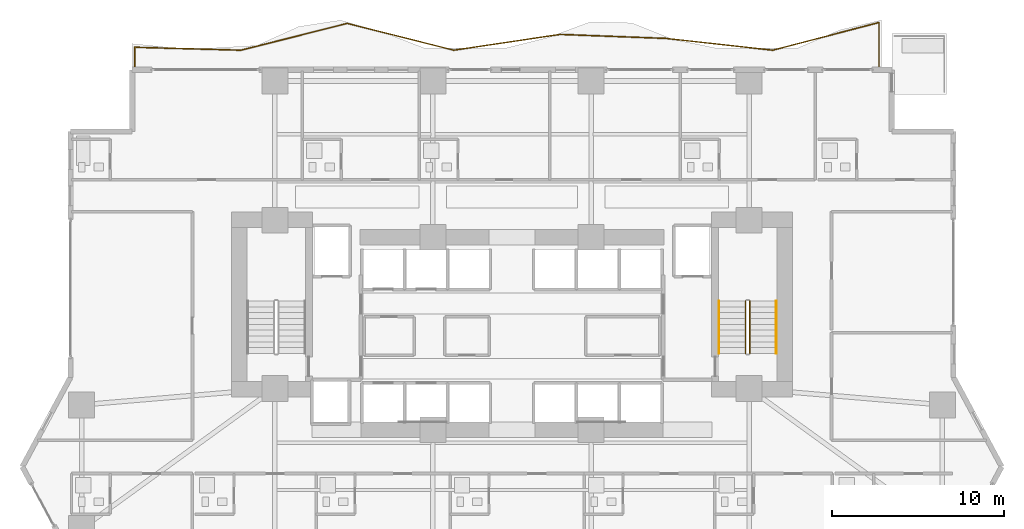
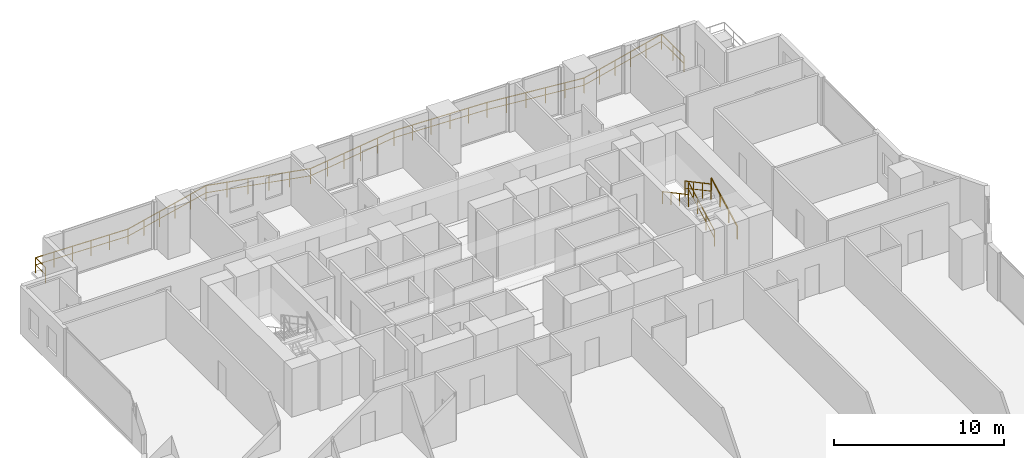
# One storey, part 26 of 28: 5 railings.
"""IFC4 building model written with IfcOpenShell, lengths in metres."""

from ifc_helpers import new_model, si_unit, direction, frame, origin, origin_2d, place, context, subcontext, project, spatial, rectangle, extrude, material, type_object, element, save


model = new_model("IFC4")

# Units and contexts
model_context = context("Model", 3, precision=1e-05, world=origin(), true_north=direction((0.0, 1.0)))
body_context = subcontext(model_context, "Body", "Model", "MODEL_VIEW")
ifc_project = project(units=[si_unit("LENGTHUNIT", "METRE"), si_unit("AREAUNIT", "SQUARE_METRE"), si_unit("VOLUMEUNIT", "CUBIC_METRE"), si_unit("PLANEANGLEUNIT", "RADIAN"), si_unit("MASSUNIT", "GRAM", prefix="KILO")], contexts=[model_context])

# Site, building, storey
site_placement = place(None, origin())
site = spatial("IfcSite", under=ifc_project, at=site_placement, CompositionType="ELEMENT")
building_placement = place(site_placement, origin())
building = spatial("IfcBuilding", under=site, at=building_placement, Name="Zuhayl Quay Hotel", CompositionType="ELEMENT")
storey_placement = place(building_placement, frame((0.0, 0.0, 56.800048828125)))
storey = spatial("IfcBuildingStorey", under=building, at=storey_placement, Name="L13", CompositionType="ELEMENT", Elevation=56.800048828125)

# Railings
ifc_material_1 = material(Name="Anodised Aluminium and Laminated Glass", Category="aluminium")
railing_type_1 = type_object("IfcRailingType", Name="RL_EXT_BAL_1100", PredefinedType="BALUSTRADE", material=ifc_material_1)
railing_1_placement = place(storey_placement, frame((-21.9599609375, 23.219970703125, 0.0)))
element("IfcRailing", 1, at=railing_1_placement, inside=storey, type_object=railing_type_1, Name="L13 Balcony and Terrace Guard GR_L13_BAL_N", PredefinedType="BALUSTRADE", context=body_context, shape_type="SweptSolid", body=[
    extrude(rectangle(XDim=0.048095703125, YDim=0.048095703125, at=origin_2d()), frame((0.0, 0.0, 1.09619140625), z_axis=(0.0, 1.0, 0.0), x_axis=(-1.0, 0.0, 0.0)), (0.0, 0.0, 1.0), 1.191162109375),
    extrude(rectangle(XDim=0.0361328125, YDim=0.0361328125, at=origin_2d()), frame((0.0, 0.0, 0.58251953125), z_axis=(0.0, 1.0, 0.0), x_axis=(-1.0, 0.0, 0.0)), (0.0, 0.0, 1.0), 1.191162109375),
    extrude(rectangle(XDim=0.048095703125, YDim=0.048095703125, at=origin_2d()), frame((0.0, 1.191162109375, 1.09619140625), z_axis=(0.999617818537, -0.027644472574, 0.0), x_axis=(0.027644472574, 0.999617818537, 0.0)), (0.0, 0.0, 1.0), 6.19091796875),
    extrude(rectangle(XDim=0.0361328125, YDim=0.0361328125, at=origin_2d()), frame((0.0, 1.191162109375, 0.58251953125), z_axis=(0.999617818537, -0.027644472574, 0.0), x_axis=(0.027644472574, 0.999617818537, 0.0)), (0.0, 0.0, 1.0), 6.19091796875),
    extrude(rectangle(XDim=0.048095703125, YDim=0.048095703125, at=origin_2d()), frame((6.1884765625, 1.02001953125, 1.09619140625), z_axis=(0.969618222109, 0.24462318646, 0.0), x_axis=(-0.24462318646, 0.969618222109, 0.0)), (0.0, 0.0, 1.0), 6.38232421875),
    extrude(rectangle(XDim=0.0361328125, YDim=0.0361328125, at=origin_2d()), frame((6.1884765625, 1.02001953125, 0.58251953125), z_axis=(0.969618222109, 0.24462318646, 0.0), x_axis=(-0.24462318646, 0.969618222109, 0.0)), (0.0, 0.0, 1.0), 6.38232421875),
    extrude(rectangle(XDim=0.048095703125, YDim=0.048095703125, at=origin_2d()), frame((12.376953125, 2.581298828125, 1.09619140625), z_axis=(0.969620511016, -0.244614113691, 0.0), x_axis=(0.244614113691, 0.969620511016, 0.0)), (0.0, 0.0, 1.0), 6.382568359375),
    extrude(rectangle(XDim=0.0361328125, YDim=0.0361328125, at=origin_2d()), frame((12.376953125, 2.581298828125, 0.58251953125), z_axis=(0.969620511016, -0.244614113691, 0.0), x_axis=(0.244614113691, 0.969620511016, 0.0)), (0.0, 0.0, 1.0), 6.382568359375),
    extrude(rectangle(XDim=0.048095703125, YDim=0.048095703125, at=origin_2d()), frame((18.565673828125, 1.02001953125, 1.09619140625), z_axis=(0.989119916434, 0.147111491437, 0.0), x_axis=(-0.147111491437, 0.989119916434, 0.0)), (0.0, 0.0, 1.0), 6.256591796875),
    extrude(rectangle(XDim=0.0361328125, YDim=0.0361328125, at=origin_2d()), frame((18.565673828125, 1.02001953125, 0.58251953125), z_axis=(0.989119916434, 0.147111491437, 0.0), x_axis=(-0.147111491437, 0.989119916434, 0.0)), (0.0, 0.0, 1.0), 6.256591796875),
    extrude(rectangle(XDim=0.048095703125, YDim=0.048095703125, at=origin_2d()), frame((24.754150390625, 1.9404296875, 1.09619140625), z_axis=(0.999282160602, -0.037883551869, 0.0), x_axis=(0.037883551869, 0.999282160602, 0.0)), (0.0, 0.0, 1.0), 6.193115234375),
    extrude(rectangle(XDim=0.0361328125, YDim=0.0361328125, at=origin_2d()), frame((24.754150390625, 1.9404296875, 0.58251953125), z_axis=(0.999282160602, -0.037883551869, 0.0), x_axis=(0.037883551869, 0.999282160602, 0.0)), (0.0, 0.0, 1.0), 6.193115234375),
    extrude(rectangle(XDim=0.048095703125, YDim=0.048095703125, at=origin_2d()), frame((30.94287109375, 1.705810546875, 1.09619140625), z_axis=(0.993915730952, -0.110143178485, 0.0), x_axis=(0.110143178485, 0.993915730952, 0.0)), (0.0, 0.0, 1.0), 6.226318359375),
    extrude(rectangle(XDim=0.0361328125, YDim=0.0361328125, at=origin_2d()), frame((30.94287109375, 1.705810546875, 0.58251953125), z_axis=(0.993915730952, -0.110143178485, 0.0), x_axis=(0.110143178485, 0.993915730952, 0.0)), (0.0, 0.0, 1.0), 6.226318359375),
    extrude(rectangle(XDim=0.048095703125, YDim=0.048095703125, at=origin_2d()), frame((37.13134765625, 1.02001953125, 1.09619140625), z_axis=(0.967680483003, 0.25217946549, 0.0), x_axis=(-0.25217946549, 0.967680483003, 0.0)), (0.0, 0.0, 1.0), 6.3955078125),
    extrude(rectangle(XDim=0.0361328125, YDim=0.0361328125, at=origin_2d()), frame((37.13134765625, 1.02001953125, 0.58251953125), z_axis=(0.967680483003, 0.25217946549, 0.0), x_axis=(-0.25217946549, 0.967680483003, 0.0)), (0.0, 0.0, 1.0), 6.3955078125),
    extrude(rectangle(XDim=0.048095703125, YDim=0.048095703125, at=origin_2d()), frame((43.320068359375, 2.6328125, 1.09619140625), z_axis=(0.0, -1.0, 0.0), x_axis=(1.0, 0.0, 0.0)), (0.0, 0.0, 1.0), 2.6328125),
    extrude(rectangle(XDim=0.0361328125, YDim=0.0361328125, at=origin_2d()), frame((43.320068359375, 2.6328125, 0.58251953125), z_axis=(0.0, -1.0, 0.0), x_axis=(1.0, 0.0, 0.0)), (0.0, 0.0, 1.0), 2.6328125),
    extrude(rectangle(XDim=0.0419921875, YDim=0.0419921875, at=origin_2d()), origin(), (0.0, 0.0, 1.0), 1.072021484375),
    extrude(rectangle(XDim=0.0419921875, YDim=0.0419921875, at=origin_2d()), frame((0.0, 1.191162109375, 0.0)), (0.0, 0.0, 1.0), 1.072021484375),
    extrude(rectangle(XDim=0.0419921875, YDim=0.0419921875, at=origin_2d()), frame((1.23779296875, 1.156982421875, 0.0)), (0.0, 0.0, 1.0), 1.072021484375),
    extrude(rectangle(XDim=0.0419921875, YDim=0.0419921875, at=origin_2d()), frame((2.475341796875, 1.122802734375, 0.0)), (0.0, 0.0, 1.0), 1.072021484375),
    extrude(rectangle(XDim=0.0419921875, YDim=0.0419921875, at=origin_2d()), frame((3.713134765625, 1.08837890625, 0.0)), (0.0, 0.0, 1.0), 1.072021484375),
    extrude(rectangle(XDim=0.0419921875, YDim=0.0419921875, at=origin_2d()), frame((4.95068359375, 1.05419921875, 0.0)), (0.0, 0.0, 1.0), 1.072021484375),
    extrude(rectangle(XDim=0.0419921875, YDim=0.0419921875, at=origin_2d()), frame((6.1884765625, 1.02001953125, 0.0)), (0.0, 0.0, 1.0), 1.072021484375),
    extrude(rectangle(XDim=0.0419921875, YDim=0.0419921875, at=origin_2d()), frame((7.42626953125, 1.332275390625, 0.0)), (0.0, 0.0, 1.0), 1.072021484375),
    extrude(rectangle(XDim=0.0419921875, YDim=0.0419921875, at=origin_2d()), frame((8.663818359375, 1.64453125, 0.0)), (0.0, 0.0, 1.0), 1.072021484375),
    extrude(rectangle(XDim=0.0419921875, YDim=0.0419921875, at=origin_2d()), frame((9.901611328125, 1.956787109375, 0.0)), (0.0, 0.0, 1.0), 1.072021484375),
    extrude(rectangle(XDim=0.0419921875, YDim=0.0419921875, at=origin_2d()), frame((11.13916015625, 2.26904296875, 0.0)), (0.0, 0.0, 1.0), 1.072021484375),
    extrude(rectangle(XDim=0.0419921875, YDim=0.0419921875, at=origin_2d()), frame((12.376953125, 2.581298828125, 0.0)), (0.0, 0.0, 1.0), 1.072021484375),
    extrude(rectangle(XDim=0.0419921875, YDim=0.0419921875, at=origin_2d()), frame((13.61474609375, 2.26904296875, 0.0)), (0.0, 0.0, 1.0), 1.072021484375),
    extrude(rectangle(XDim=0.0419921875, YDim=0.0419921875, at=origin_2d()), frame((14.8525390625, 1.956787109375, 0.0)), (0.0, 0.0, 1.0), 1.072021484375),
    extrude(rectangle(XDim=0.0419921875, YDim=0.0419921875, at=origin_2d()), frame((16.090087890625, 1.64453125, 0.0)), (0.0, 0.0, 1.0), 1.072021484375),
    extrude(rectangle(XDim=0.0419921875, YDim=0.0419921875, at=origin_2d()), frame((17.327880859375, 1.332275390625, 0.0)), (0.0, 0.0, 1.0), 1.072021484375),
    extrude(rectangle(XDim=0.0419921875, YDim=0.0419921875, at=origin_2d()), frame((18.565673828125, 1.02001953125, 0.0)), (0.0, 0.0, 1.0), 1.072021484375),
    extrude(rectangle(XDim=0.0419921875, YDim=0.0419921875, at=origin_2d()), frame((19.803466796875, 1.2041015625, 0.0)), (0.0, 0.0, 1.0), 1.072021484375),
    extrude(rectangle(XDim=0.0419921875, YDim=0.0419921875, at=origin_2d()), frame((21.041015625, 1.38818359375, 0.0)), (0.0, 0.0, 1.0), 1.072021484375),
    extrude(rectangle(XDim=0.0419921875, YDim=0.0419921875, at=origin_2d()), frame((22.27880859375, 1.572265625, 0.0)), (0.0, 0.0, 1.0), 1.072021484375),
    extrude(rectangle(XDim=0.0419921875, YDim=0.0419921875, at=origin_2d()), frame((23.516357421875, 1.75634765625, 0.0)), (0.0, 0.0, 1.0), 1.072021484375),
    extrude(rectangle(XDim=0.0419921875, YDim=0.0419921875, at=origin_2d()), frame((24.754150390625, 1.9404296875, 0.0)), (0.0, 0.0, 1.0), 1.072021484375),
    extrude(rectangle(XDim=0.0419921875, YDim=0.0419921875, at=origin_2d()), frame((25.991943359375, 1.8935546875, 0.0)), (0.0, 0.0, 1.0), 1.072021484375),
    extrude(rectangle(XDim=0.0419921875, YDim=0.0419921875, at=origin_2d()), frame((27.229736328125, 1.8466796875, 0.0)), (0.0, 0.0, 1.0), 1.072021484375),
    extrude(rectangle(XDim=0.0419921875, YDim=0.0419921875, at=origin_2d()), frame((28.46728515625, 1.799560546875, 0.0)), (0.0, 0.0, 1.0), 1.072021484375),
    extrude(rectangle(XDim=0.0419921875, YDim=0.0419921875, at=origin_2d()), frame((29.705078125, 1.752685546875, 0.0)), (0.0, 0.0, 1.0), 1.072021484375),
    extrude(rectangle(XDim=0.0419921875, YDim=0.0419921875, at=origin_2d()), frame((30.94287109375, 1.705810546875, 0.0)), (0.0, 0.0, 1.0), 1.072021484375),
    extrude(rectangle(XDim=0.0419921875, YDim=0.0419921875, at=origin_2d()), frame((32.1806640625, 1.568603515625, 0.0)), (0.0, 0.0, 1.0), 1.072021484375),
    extrude(rectangle(XDim=0.0419921875, YDim=0.0419921875, at=origin_2d()), frame((33.418212890625, 1.431396484375, 0.0)), (0.0, 0.0, 1.0), 1.072021484375),
    extrude(rectangle(XDim=0.0419921875, YDim=0.0419921875, at=origin_2d()), frame((34.656005859375, 1.29443359375, 0.0)), (0.0, 0.0, 1.0), 1.072021484375),
    extrude(rectangle(XDim=0.0419921875, YDim=0.0419921875, at=origin_2d()), frame((35.8935546875, 1.1572265625, 0.0)), (0.0, 0.0, 1.0), 1.072021484375),
    extrude(rectangle(XDim=0.0419921875, YDim=0.0419921875, at=origin_2d()), frame((37.13134765625, 1.02001953125, 0.0)), (0.0, 0.0, 1.0), 1.072021484375),
    extrude(rectangle(XDim=0.0419921875, YDim=0.0419921875, at=origin_2d()), frame((38.369140625, 1.342529296875, 0.0)), (0.0, 0.0, 1.0), 1.072021484375),
    extrude(rectangle(XDim=0.0419921875, YDim=0.0419921875, at=origin_2d()), frame((39.60693359375, 1.6650390625, 0.0)), (0.0, 0.0, 1.0), 1.072021484375),
    extrude(rectangle(XDim=0.0419921875, YDim=0.0419921875, at=origin_2d()), frame((40.844482421875, 1.98779296875, 0.0)), (0.0, 0.0, 1.0), 1.072021484375),
    extrude(rectangle(XDim=0.0419921875, YDim=0.0419921875, at=origin_2d()), frame((42.082275390625, 2.310302734375, 0.0)), (0.0, 0.0, 1.0), 1.072021484375),
    extrude(rectangle(XDim=0.0419921875, YDim=0.0419921875, at=origin_2d()), frame((43.320068359375, 2.6328125, 0.0)), (0.0, 0.0, 1.0), 1.072021484375),
    extrude(rectangle(XDim=0.0419921875, YDim=0.0419921875, at=origin_2d()), frame((43.320068359375, 1.31640625, 0.0)), (0.0, 0.0, 1.0), 1.072021484375),
    extrude(rectangle(XDim=0.0419921875, YDim=0.0419921875, at=origin_2d()), frame((43.320068359375, 0.0, 0.0)), (0.0, 0.0, 1.0), 1.072021484375),
])
ifc_material_2 = material(Name="Steel ASTM A992 Grade 50", Category="steel")
railing_type_2 = type_object("IfcRailingType", Name="RL_GUARD_1100", PredefinedType="GUARDRAIL", material=ifc_material_2)
railing_2_placement = place(storey_placement, frame((13.840087890625, 6.590087890625, 0.182373046875)))
element("IfcRailing", 2, at=railing_2_placement, inside=storey, type_object=railing_type_2, Name="L13 ST2 stair guard 1", PredefinedType="GUARDRAIL", context=body_context, shape_type="SweptSolid", body=[
    extrude(rectangle(XDim=0.048095703125, YDim=0.048095703125, at=origin_2d()), frame((0.0, 0.0, 1.09619140625), z_axis=(0.0, 0.88107310026, 0.472980117973), x_axis=(-1.0, 0.0, 0.0)), (0.0, 0.0, 1.0), 3.472900390625),
    extrude(rectangle(XDim=0.0361328125, YDim=0.0361328125, at=origin_2d()), frame((0.0, 0.0, 0.58251953125), z_axis=(0.0, 0.88107310026, 0.472980117973), x_axis=(-1.0, 0.0, 0.0)), (0.0, 0.0, 1.0), 3.472900390625),
    extrude(rectangle(XDim=0.0419921875, YDim=0.0419921875, at=origin_2d()), origin(), (0.0, 0.0, 1.0), 1.072021484375),
    extrude(rectangle(XDim=0.0419921875, YDim=0.0419921875, at=origin_2d()), frame((0.0, 1.02001953125, 0.547607421875)), (0.0, 0.0, 1.0), 1.072021484375),
    extrude(rectangle(XDim=0.0419921875, YDim=0.0419921875, at=origin_2d()), frame((0.0, 2.039794921875, 1.094970703125)), (0.0, 0.0, 1.0), 1.072021484375),
    extrude(rectangle(XDim=0.0419921875, YDim=0.0419921875, at=origin_2d()), frame((0.0, 3.059814453125, 1.642578125)), (0.0, 0.0, 1.0), 1.072021484375),
])
railing_3_placement = place(storey_placement, frame((13.590087890625, 9.64990234375, 2.007568359375)))
element("IfcRailing", 3, at=railing_3_placement, inside=storey, type_object=railing_type_2, Name="L13 ST2 stair guard 3", PredefinedType="GUARDRAIL", context=body_context, shape_type="SweptSolid", body=[
    extrude(rectangle(XDim=0.048095703125, YDim=0.048095703125, at=origin_2d()), frame((0.0, 0.0, 1.09619140625), z_axis=(0.0, -0.881102395774, 0.472925541879), x_axis=(1.0, 0.0, 0.0)), (0.0, 0.0, 1.0), 3.47265625),
    extrude(rectangle(XDim=0.0361328125, YDim=0.0361328125, at=origin_2d()), frame((0.0, 0.0, 0.58251953125), z_axis=(0.0, -0.881102395774, 0.472925541879), x_axis=(1.0, 0.0, 0.0)), (0.0, 0.0, 1.0), 3.47265625),
    extrude(rectangle(XDim=0.0419921875, YDim=0.0419921875, at=origin_2d()), origin(), (0.0, 0.0, 1.0), 1.072021484375),
    extrude(rectangle(XDim=0.0419921875, YDim=0.0419921875, at=origin_2d()), frame((0.0, -1.02001953125, 0.54736328125)), (0.0, 0.0, 1.0), 1.072021484375),
    extrude(rectangle(XDim=0.0419921875, YDim=0.0419921875, at=origin_2d()), frame((0.0, -2.039794921875, 1.094970703125)), (0.0, 0.0, 1.0), 1.072021484375),
    extrude(rectangle(XDim=0.0419921875, YDim=0.0419921875, at=origin_2d()), frame((0.0, -3.059814453125, 1.642333984375)), (0.0, 0.0, 1.0), 1.072021484375),
])
railing_type_3 = type_object("IfcRailingType", Name="RL_HANDRAIL_920", PredefinedType="HANDRAIL", material=ifc_material_2)
railing_4_placement = place(storey_placement, frame((15.3798828125, 6.590087890625, 0.182373046875)))
element("IfcRailing", 4, at=railing_4_placement, inside=storey, type_object=railing_type_3, Name="L13 ST2 stair handrail 1", PredefinedType="HANDRAIL", context=body_context, shape_type="SweptSolid", body=[
    extrude(rectangle(XDim=0.048095703125, YDim=0.048095703125, at=origin_2d()), frame((0.0, 0.0, 0.8759765625), z_axis=(0.0, 0.88107310026, 0.472980117973), x_axis=(-1.0, 0.0, 0.0)), (0.0, 0.0, 1.0), 3.472900390625),
    extrude(rectangle(XDim=0.0419921875, YDim=0.0419921875, at=origin_2d()), origin(), (0.0, 0.0, 1.0), 0.851806640625),
    extrude(rectangle(XDim=0.0419921875, YDim=0.0419921875, at=origin_2d()), frame((0.0, 1.02001953125, 0.547607421875)), (0.0, 0.0, 1.0), 0.851806640625),
    extrude(rectangle(XDim=0.0419921875, YDim=0.0419921875, at=origin_2d()), frame((0.0, 2.039794921875, 1.094970703125)), (0.0, 0.0, 1.0), 0.851806640625),
    extrude(rectangle(XDim=0.0419921875, YDim=0.0419921875, at=origin_2d()), frame((0.0, 3.059814453125, 1.642578125)), (0.0, 0.0, 1.0), 0.851806640625),
])
railing_5_placement = place(storey_placement, frame((12.050048828125, 9.64990234375, 2.007568359375)))
element("IfcRailing", 5, at=railing_5_placement, inside=storey, type_object=railing_type_3, Name="L13 ST2 stair handrail 2", PredefinedType="HANDRAIL", context=body_context, shape_type="SweptSolid", body=[
    extrude(rectangle(XDim=0.048095703125, YDim=0.048095703125, at=origin_2d()), frame((0.0, 0.0, 0.8759765625), z_axis=(0.0, -0.881102395774, 0.472925541879), x_axis=(1.0, 0.0, 0.0)), (0.0, 0.0, 1.0), 3.47265625),
    extrude(rectangle(XDim=0.0419921875, YDim=0.0419921875, at=origin_2d()), origin(), (0.0, 0.0, 1.0), 0.851806640625),
    extrude(rectangle(XDim=0.0419921875, YDim=0.0419921875, at=origin_2d()), frame((0.0, -1.02001953125, 0.54736328125)), (0.0, 0.0, 1.0), 0.851806640625),
    extrude(rectangle(XDim=0.0419921875, YDim=0.0419921875, at=origin_2d()), frame((0.0, -2.039794921875, 1.094970703125)), (0.0, 0.0, 1.0), 0.851806640625),
    extrude(rectangle(XDim=0.0419921875, YDim=0.0419921875, at=origin_2d()), frame((0.0, -3.059814453125, 1.642333984375)), (0.0, 0.0, 1.0), 0.851806640625),
])

save(model, "model.ifc")
